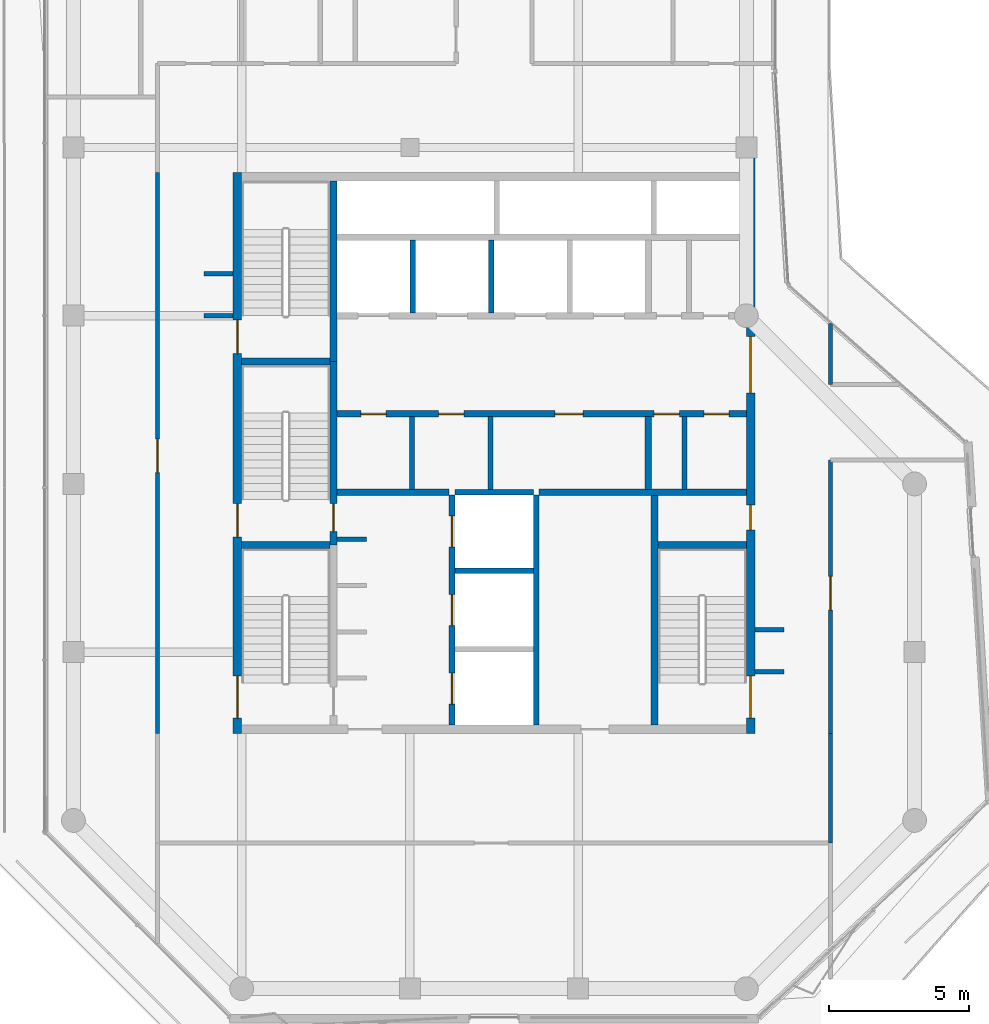
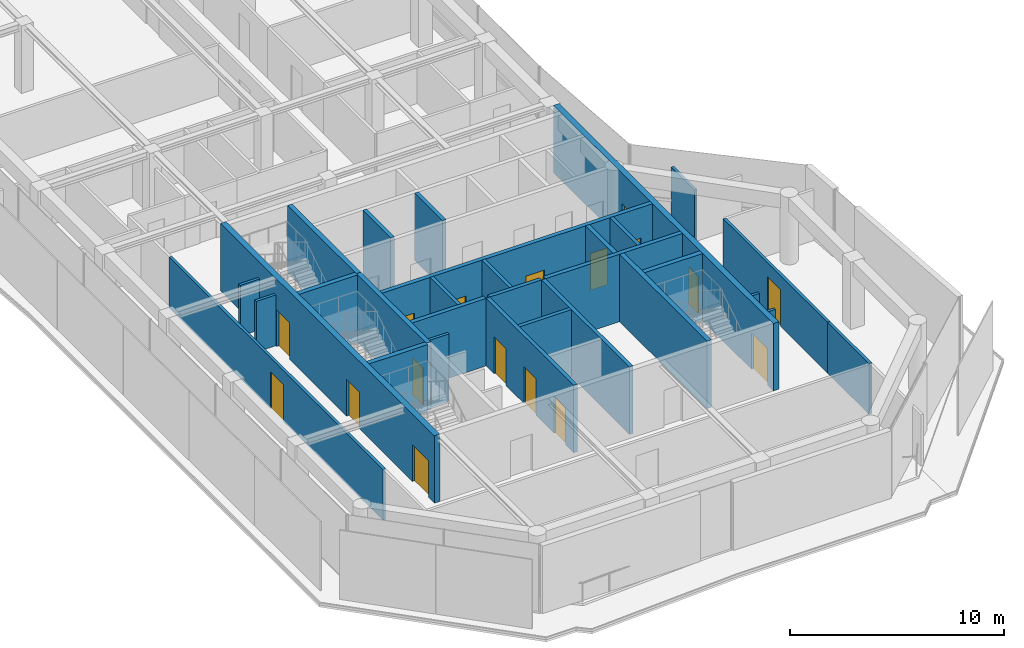
# One storey, part 17 of 21: 30 walls, 17 doors, 17 openings.
"""IFC4 building model written with IfcOpenShell, lengths in metres."""

from ifc_helpers import new_model, si_unit, direction, frame, frame_2d, origin, place, context, subcontext, project, spatial, rectangle, extrude, material, layer, layer_set, type_object, element, fill, save


model = new_model("IFC4")

# Units and contexts
model_context = context("Model", 3, precision=1e-05, world=origin(), true_north=direction((0.0, 1.0)))
body_context = subcontext(model_context, "Body", "Model", "MODEL_VIEW")
ifc_project = project(units=[si_unit("LENGTHUNIT", "METRE"), si_unit("AREAUNIT", "SQUARE_METRE"), si_unit("VOLUMEUNIT", "CUBIC_METRE"), si_unit("PLANEANGLEUNIT", "RADIAN"), si_unit("MASSUNIT", "GRAM", prefix="KILO")], contexts=[model_context])

# Site, building, storey
site_placement = place(None, origin())
site = spatial("IfcSite", under=ifc_project, at=site_placement, CompositionType="ELEMENT")
building_placement = place(site_placement, origin())
building = spatial("IfcBuilding", under=site, at=building_placement, Name="Welwitschia Terrace Campus", CompositionType="ELEMENT")
storey_placement = place(building_placement, frame((0.0, 0.0, 302.0)))
storey = spatial("IfcBuildingStorey", under=building, at=storey_placement, Name="L67", CompositionType="ELEMENT", Elevation=302.0)

# Walls
ifc_material_1 = material(Name="Concrete C32/40", Category="concrete")
ifc_layer_1 = layer(ifc_material_1, 0.175048828125)
ifc_layer_set_1 = layer_set([ifc_layer_1], Name="Concrete C32/40")
wall_type_1 = type_object("IfcWallType", Name="Core partition 175 Concrete C32/40", PredefinedType="PARTITIONING", material=ifc_layer_set_1)
for number, where, z_axis, x_axis, name in (
    (1, (12.074951171875, 13.800048828125, 0.0), (0.0, 0.0, 1.0), (0.0, 1.0, 0.0), "Core partition"),
    (2, (14.875, 13.800048828125, 0.0), (0.0, 0.0, 1.0), (0.0, 1.0, 0.0), "Core partition"),
    (3, (21.7900390625, 13.800048828125, 0.0), (0.0, 0.0, 1.0), (0.0, 1.0, 0.0), "Core partition"),
):
    element("IfcWall", number, at=place(storey_placement, frame(where, z_axis=z_axis, x_axis=x_axis)), inside=storey, type_object=wall_type_1, Name=name, PredefinedType="PARTITIONING", context=body_context, shape_type="SweptSolid", body=[
        extrude(rectangle(XDim=2.599853515625, YDim=0.175048828125, at=frame_2d((1.2998046875, 0.0))), origin(), (0.0, 0.0, 1.0), 3.85009765625),
    ])
ifc_material_2 = material(Name="Concrete C32/40", Category="concrete")
ifc_layer_2 = layer(ifc_material_2, 0.22509765625)
ifc_layer_set_2 = layer_set([ifc_layer_2], Name="Concrete C32/40")
wall_type_2 = type_object("IfcWallType", Name="Core partition 225 Concrete C32/40", PredefinedType="PARTITIONING", material=ifc_layer_set_2)
wall_1_placement = place(storey_placement, frame((9.39990234375, 13.699951171875, 0.0), z_axis=(0.0, 0.0, 1.0), x_axis=(1.0, 0.0, 0.0)))
element("IfcWall", 4, at=wall_1_placement, inside=storey, type_object=wall_type_2, Name="Core partition", PredefinedType="PARTITIONING", context=body_context, shape_type="SweptSolid", body=[
    extrude(rectangle(XDim=4.0, YDim=0.22509765625, at=frame_2d((2.0, 0.0))), origin(), (0.0, 0.0, 1.0), 3.85009765625),
])
wall_2_placement = place(storey_placement, frame((16.60009765625, 13.699951171875, 0.0), z_axis=(0.0, 0.0, 1.0), x_axis=(1.0, 0.0, 0.0)))
element("IfcWall", 5, at=wall_2_placement, inside=storey, type_object=wall_type_2, Name="Core partition", PredefinedType="PARTITIONING", context=body_context, shape_type="SweptSolid", body=[
    extrude(rectangle(XDim=7.39990234375, YDim=0.22509765625, at=frame_2d((3.699951171875, 0.0))), origin(), (0.0, 0.0, 1.0), 3.85009765625),
])

# Wall, openings, doors
wall_3_placement = place(storey_placement, frame((9.39990234375, 16.5, 0.0), z_axis=(0.0, 0.0, 1.0), x_axis=(1.0, 0.0, 0.0)))
wall_3 = element("IfcWall", 6, at=wall_3_placement, inside=storey, type_object=wall_type_2, Name="Core partition", PredefinedType="PARTITIONING", context=body_context, shape_type="SweptSolid", body=[
    extrude(rectangle(XDim=14.60009765625, YDim=0.22509765625, at=frame_2d((7.300048828125, 0.0))), origin(), (0.0, 0.0, 1.0), 3.85009765625),
])
opening_1_placement = place(wall_3_placement, frame((0.85009765625, 0.0, 0.0)))
opening_1 = element("IfcOpeningElement", 7, at=opening_1_placement, cuts=wall_3, Name="Opening DR09", PredefinedType="OPENING", context=body_context, shape_type="SweptSolid", body=[
    extrude(rectangle(XDim=0.89990234375, YDim=2.10009765625, at=frame_2d((0.449951171875, 1.050048828125))), frame((0.0, 0.12255859375, 0.0), z_axis=(0.0, -1.0, 0.0), x_axis=(1.0, 0.0, 0.0)), (0.0, 0.0, 1.0), 0.2451171875),
])
opening_2_placement = place(wall_3_placement, frame((3.625, 0.0, 0.0)))
opening_2 = element("IfcOpeningElement", 8, at=opening_2_placement, cuts=wall_3, Name="Opening DR09", PredefinedType="OPENING", context=body_context, shape_type="SweptSolid", body=[
    extrude(rectangle(XDim=0.89990234375, YDim=2.10009765625, at=frame_2d((0.449951171875, 1.050048828125))), frame((0.0, 0.12255859375, 0.0), z_axis=(0.0, -1.0, 0.0), x_axis=(1.0, 0.0, 0.0)), (0.0, 0.0, 1.0), 0.2451171875),
])
opening_3_placement = place(wall_3_placement, frame((7.77490234375, 0.0, 0.0)))
opening_3 = element("IfcOpeningElement", 9, at=opening_3_placement, cuts=wall_3, Name="Opening DR10", PredefinedType="OPENING", context=body_context, shape_type="SweptSolid", body=[
    extrude(rectangle(XDim=1.0, YDim=2.10009765625, at=frame_2d((0.5, 1.050048828125))), frame((0.0, 0.12255859375, 0.0), z_axis=(0.0, -1.0, 0.0), x_axis=(1.0, 0.0, 0.0)), (0.0, 0.0, 1.0), 0.2451171875),
])
opening_4_placement = place(wall_3_placement, frame((11.3076171875, 0.0, 0.0)))
opening_4 = element("IfcOpeningElement", 10, at=opening_4_placement, cuts=wall_3, Name="Opening DR09", PredefinedType="OPENING", context=body_context, shape_type="SweptSolid", body=[
    extrude(rectangle(XDim=0.89990234375, YDim=2.10009765625, at=frame_2d((0.449951171875, 1.050048828125))), frame((0.0, 0.12255859375, 0.0), z_axis=(0.0, -1.0, 0.0), x_axis=(1.0, 0.0, 0.0)), (0.0, 0.0, 1.0), 0.2451171875),
])
opening_5_placement = place(wall_3_placement, frame((13.08251953125, 0.0, 0.0)))
opening_5 = element("IfcOpeningElement", 11, at=opening_5_placement, cuts=wall_3, Name="Opening DR09", PredefinedType="OPENING", context=body_context, shape_type="SweptSolid", body=[
    extrude(rectangle(XDim=0.89990234375, YDim=2.10009765625, at=frame_2d((0.449951171875, 1.050048828125))), frame((0.0, 0.12255859375, 0.0), z_axis=(0.0, -1.0, 0.0), x_axis=(1.0, 0.0, 0.0)), (0.0, 0.0, 1.0), 0.2451171875),
])
ifc_material_3 = material(Name="Steel S275", Category="steel")
door_type_1 = type_object("IfcDoorType", Name="Core door DR09", OperationType="SINGLE_SWING_LEFT", PredefinedType="DOOR", material=ifc_material_3)
door_1_placement = place(opening_1_placement, origin())
door_1 = element("IfcDoor", 12, at=door_1_placement, inside=storey, type_object=door_type_1, Name="Door BAYL1-D", OperationType="SINGLE_SWING_LEFT", OverallHeight=2.10009765625, OverallWidth=0.89990234375, PredefinedType="DOOR", context=body_context, shape_type="SweptSolid", body=[
    extrude(rectangle(XDim=0.89990234375, YDim=2.10009765625, at=frame_2d((0.449951171875, 1.050048828125))), frame((0.0, 0.02490234375, 0.0), z_axis=(0.0, -1.0, 0.0), x_axis=(1.0, 0.0, 0.0)), (0.0, 0.0, 1.0), 0.050048828125),
])
fill(opening_1, door_1)
door_2_placement = place(opening_2_placement, origin())
door_2 = element("IfcDoor", 13, at=door_2_placement, inside=storey, type_object=door_type_1, Name="Door BAYL2-D", OperationType="SINGLE_SWING_LEFT", OverallHeight=2.10009765625, OverallWidth=0.89990234375, PredefinedType="DOOR", context=body_context, shape_type="SweptSolid", body=[
    extrude(rectangle(XDim=0.89990234375, YDim=2.10009765625, at=frame_2d((0.449951171875, 1.050048828125))), frame((0.0, 0.02490234375, 0.0), z_axis=(0.0, -1.0, 0.0), x_axis=(1.0, 0.0, 0.0)), (0.0, 0.0, 1.0), 0.050048828125),
])
fill(opening_2, door_2)
door_3_placement = place(opening_4_placement, origin())
door_3 = element("IfcDoor", 14, at=door_3_placement, inside=storey, type_object=door_type_1, Name="Door EL1-D", OperationType="SINGLE_SWING_RIGHT", OverallHeight=2.10009765625, OverallWidth=0.89990234375, PredefinedType="DOOR", context=body_context, shape_type="SweptSolid", body=[
    extrude(rectangle(XDim=0.89990234375, YDim=2.10009765625, at=frame_2d((0.449951171875, 1.050048828125))), frame((0.0, 0.02490234375, 0.0), z_axis=(0.0, -1.0, 0.0), x_axis=(1.0, 0.0, 0.0)), (0.0, 0.0, 1.0), 0.050048828125),
])
fill(opening_4, door_3)
door_4_placement = place(opening_5_placement, origin())
door_4 = element("IfcDoor", 15, at=door_4_placement, inside=storey, type_object=door_type_1, Name="Door EL2-D", OperationType="SINGLE_SWING_RIGHT", OverallHeight=2.10009765625, OverallWidth=0.89990234375, PredefinedType="DOOR", context=body_context, shape_type="SweptSolid", body=[
    extrude(rectangle(XDim=0.89990234375, YDim=2.10009765625, at=frame_2d((0.449951171875, 1.050048828125))), frame((0.0, 0.02490234375, 0.0), z_axis=(0.0, -1.0, 0.0), x_axis=(1.0, 0.0, 0.0)), (0.0, 0.0, 1.0), 0.050048828125),
])
fill(opening_5, door_4)
ifc_material_4 = material(Name="Steel S275", Category="steel")
door_type_2 = type_object("IfcDoorType", Name="Core door DR10", OperationType="SINGLE_SWING_LEFT", PredefinedType="DOOR", material=ifc_material_4)
door_5_placement = place(opening_3_placement, origin())
door_5 = element("IfcDoor", 16, at=door_5_placement, inside=storey, type_object=door_type_2, Name="Door BAYL3-D", OperationType="SINGLE_SWING_RIGHT", OverallHeight=2.10009765625, OverallWidth=1.0, PredefinedType="DOOR", context=body_context, shape_type="SweptSolid", body=[
    extrude(rectangle(XDim=1.0, YDim=2.10009765625, at=frame_2d((0.5, 1.050048828125))), frame((0.0, 0.02490234375, 0.0), z_axis=(0.0, -1.0, 0.0), x_axis=(1.0, 0.0, 0.0)), (0.0, 0.0, 1.0), 0.050048828125),
])
fill(opening_3, door_5)

# Walls
wall_4_placement = place(storey_placement, frame((20.5, 13.800048828125, 0.0), z_axis=(0.0, 0.0, 1.0), x_axis=(0.0, 1.0, 0.0)))
element("IfcWall", 17, at=wall_4_placement, inside=storey, type_object=wall_type_2, Name="Core partition", PredefinedType="PARTITIONING", context=body_context, shape_type="SweptSolid", body=[
    extrude(rectangle(XDim=2.599853515625, YDim=0.22509765625, at=frame_2d((1.2998046875, 0.0))), origin(), (0.0, 0.0, 1.0), 3.85009765625),
])
ifc_material_5 = material(Name="Concrete C50/60", Category="concrete")
ifc_layer_3 = layer(ifc_material_5, 0.14990234375)
ifc_layer_set_3 = layer_set([ifc_layer_3], Name="Concrete C50/60")
wall_type_3 = type_object("IfcWallType", Name="Core wall 150 Concrete C50/60", PredefinedType="SHEAR", material=ifc_layer_set_3)
wall_5_placement = place(storey_placement, frame((9.39990234375, 12.02490234375, 0.0), z_axis=(0.0, 0.0, 1.0), x_axis=(1.0, 0.0, 0.0)))
element("IfcWall", 18, at=wall_5_placement, inside=storey, type_object=wall_type_3, Name="Core wall", PredefinedType="SHEAR", context=body_context, shape_type="SweptSolid", body=[
    extrude(rectangle(XDim=1.050048828125, YDim=0.14990234375, at=frame_2d((0.52490234375, 0.0))), origin(), (0.0, 0.0, 1.0), 3.85009765625),
])
ifc_material_6 = material(Name="Concrete C50/60", Category="concrete")
ifc_layer_4 = layer(ifc_material_6, 0.199951171875)
ifc_layer_set_4 = layer_set([ifc_layer_4], Name="Concrete C50/60")
wall_type_4 = type_object("IfcWallType", Name="Core wall 200 Concrete C50/60", PredefinedType="SHEAR", material=ifc_layer_set_4)
for number, where, z_axis, x_axis, name in (
    (19, (13.60009765625, 10.89990234375, 0.0), (0.0, 0.0, 1.0), (1.0, 0.0, 0.0), "Core wall"),
    (20, (13.60009765625, 13.699951171875, 0.0), (0.0, 0.0, 1.0), (1.0, 0.0, 0.0), "Core wall"),
):
    element("IfcWall", number, at=place(storey_placement, frame(where, z_axis=z_axis, x_axis=x_axis)), inside=storey, type_object=wall_type_4, Name=name, PredefinedType="SHEAR", context=body_context, shape_type="SweptSolid", body=[
        extrude(rectangle(XDim=2.7998046875, YDim=0.199951171875, at=frame_2d((1.39990234375, 0.0))), origin(), (0.0, 0.0, 1.0), 3.85009765625),
    ])

# Wall, openings, doors
wall_6_placement = place(storey_placement, frame((13.5, 5.39990234375, 0.0), z_axis=(0.0, 0.0, 1.0), x_axis=(0.0, 1.0, 0.0)))
wall_6 = element("IfcWall", 21, at=wall_6_placement, inside=storey, type_object=wall_type_4, Name="Core wall", PredefinedType="SHEAR", context=body_context, shape_type="SweptSolid", body=[
    extrude(rectangle(XDim=8.2001953125, YDim=0.199951171875, at=frame_2d((4.10009765625, 0.0))), origin(), (0.0, 0.0, 1.0), 3.85009765625),
])
opening_6_placement = place(wall_6_placement, frame((0.75, 0.0, 0.0)))
opening_6 = element("IfcOpeningElement", 22, at=opening_6_placement, cuts=wall_6, Name="Opening LD", PredefinedType="OPENING", context=body_context, shape_type="SweptSolid", body=[
    extrude(rectangle(XDim=1.10009765625, YDim=2.10009765625, at=frame_2d((0.550048828125, 1.050048828125))), frame((0.0, 0.10986328125, 0.0), z_axis=(0.0, -1.0, 0.0), x_axis=(1.0, 0.0, 0.0)), (0.0, 0.0, 1.0), 0.219970703125),
])
opening_7_placement = place(wall_6_placement, frame((3.550048828125, 0.0, 0.0)))
opening_7 = element("IfcOpeningElement", 23, at=opening_7_placement, cuts=wall_6, Name="Opening LD", PredefinedType="OPENING", context=body_context, shape_type="SweptSolid", body=[
    extrude(rectangle(XDim=1.10009765625, YDim=2.10009765625, at=frame_2d((0.550048828125, 1.050048828125))), frame((0.0, 0.10986328125, 0.0), z_axis=(0.0, -1.0, 0.0), x_axis=(1.0, 0.0, 0.0)), (0.0, 0.0, 1.0), 0.219970703125),
])
opening_8_placement = place(wall_6_placement, frame((6.35009765625, 0.0, 0.0)))
opening_8 = element("IfcOpeningElement", 24, at=opening_8_placement, cuts=wall_6, Name="Opening LD", PredefinedType="OPENING", context=body_context, shape_type="SweptSolid", body=[
    extrude(rectangle(XDim=1.10009765625, YDim=2.10009765625, at=frame_2d((0.550048828125, 1.050048828125))), frame((0.0, 0.10986328125, 0.0), z_axis=(0.0, -1.0, 0.0), x_axis=(1.0, 0.0, 0.0)), (0.0, 0.0, 1.0), 0.219970703125),
])
ifc_material_7 = material(Name="Stainless steel 304", Category="steel")
door_type_3 = type_object("IfcDoorType", Name="Lift landing door", OperationType="DOUBLE_DOOR_SLIDING", PredefinedType="DOOR", material=ifc_material_7)
door_6_placement = place(opening_6_placement, origin())
door_6 = element("IfcDoor", 25, at=door_6_placement, inside=storey, type_object=door_type_3, Name="Landing door FF1", OperationType="DOUBLE_DOOR_SLIDING", OverallHeight=2.10009765625, OverallWidth=1.10009765625, PredefinedType="DOOR", context=body_context, shape_type="SweptSolid", body=[
    extrude(rectangle(XDim=1.10009765625, YDim=2.10009765625, at=frame_2d((0.550048828125, 1.050048828125))), frame((0.0, 0.02490234375, 0.0), z_axis=(0.0, -1.0, 0.0), x_axis=(1.0, 0.0, 0.0)), (0.0, 0.0, 1.0), 0.050048828125),
])
fill(opening_6, door_6)
door_7_placement = place(opening_7_placement, origin())
door_7 = element("IfcDoor", 26, at=door_7_placement, inside=storey, type_object=door_type_3, Name="Landing door FF2", OperationType="DOUBLE_DOOR_SLIDING", OverallHeight=2.10009765625, OverallWidth=1.10009765625, PredefinedType="DOOR", context=body_context, shape_type="SweptSolid", body=[
    extrude(rectangle(XDim=1.10009765625, YDim=2.10009765625, at=frame_2d((0.550048828125, 1.050048828125))), frame((0.0, 0.02490234375, 0.0), z_axis=(0.0, -1.0, 0.0), x_axis=(1.0, 0.0, 0.0)), (0.0, 0.0, 1.0), 0.050048828125),
])
fill(opening_7, door_7)
door_8_placement = place(opening_8_placement, origin())
door_8 = element("IfcDoor", 27, at=door_8_placement, inside=storey, type_object=door_type_3, Name="Landing door SV1", OperationType="DOUBLE_DOOR_SLIDING", OverallHeight=2.10009765625, OverallWidth=1.10009765625, PredefinedType="DOOR", context=body_context, shape_type="SweptSolid", body=[
    extrude(rectangle(XDim=1.10009765625, YDim=2.10009765625, at=frame_2d((0.550048828125, 1.050048828125))), frame((0.0, 0.02490234375, 0.0), z_axis=(0.0, -1.0, 0.0), x_axis=(1.0, 0.0, 0.0)), (0.0, 0.0, 1.0), 0.050048828125),
])
fill(opening_8, door_8)

# Walls
wall_7_placement = place(storey_placement, frame((16.5, 5.39990234375, 0.0), z_axis=(0.0, 0.0, 1.0), x_axis=(0.0, 1.0, 0.0)))
element("IfcWall", 28, at=wall_7_placement, inside=storey, type_object=wall_type_4, Name="Core wall", PredefinedType="SHEAR", context=body_context, shape_type="SweptSolid", body=[
    extrude(rectangle(XDim=8.2001953125, YDim=0.199951171875, at=frame_2d((4.10009765625, 0.0))), origin(), (0.0, 0.0, 1.0), 3.85009765625),
])
ifc_material_8 = material(Name="Concrete C50/60", Category="concrete")
ifc_layer_5 = layer(ifc_material_8, 0.25)
ifc_layer_set_5 = layer_set([ifc_layer_5], Name="Concrete C50/60")
wall_type_5 = type_object("IfcWallType", Name="Core wall 250 Concrete C50/60", PredefinedType="SHEAR", material=ifc_layer_set_5)
for number, where, z_axis, x_axis, name in (
    (29, (6.0, 11.824951171875, 0.0), (0.0, 0.0, 1.0), (1.0, 0.0, 0.0), "Core wall"),
    (30, (20.85009765625, 11.824951171875, 0.0), (0.0, 0.0, 1.0), (1.0, 0.0, 0.0), "Core wall"),
    (31, (6.0, 18.375, 0.0), (0.0, 0.0, 1.0), (1.0, 0.0, 0.0), "Core wall"),
):
    element("IfcWall", number, at=place(storey_placement, frame(where, z_axis=z_axis, x_axis=x_axis)), inside=storey, type_object=wall_type_5, Name=name, PredefinedType="SHEAR", context=body_context, shape_type="SweptSolid", body=[
        extrude(rectangle(XDim=3.14990234375, YDim=0.25, at=frame_2d((1.574951171875, 0.0))), origin(), (0.0, 0.0, 1.0), 3.85009765625),
    ])

# Wall, opening, door
wall_8_placement = place(storey_placement, frame((9.27490234375, 18.375, 0.0), z_axis=(0.0, 0.0, 1.0), x_axis=(0.0, -1.0, 0.0)))
wall_8 = element("IfcWall", 32, at=wall_8_placement, inside=storey, type_object=wall_type_5, Name="Core wall", PredefinedType="SHEAR", context=body_context, shape_type="SweptSolid", body=[
    extrude(rectangle(XDim=6.550048828125, YDim=0.25, at=frame_2d((3.27490234375, 0.0))), origin(), (0.0, 0.0, 1.0), 3.85009765625),
])
opening_9_placement = place(wall_8_placement, frame((5.074951171875, 0.0, 0.0)))
opening_9 = element("IfcOpeningElement", 33, at=opening_9_placement, cuts=wall_8, Name="Opening DS10", PredefinedType="OPENING", context=body_context, shape_type="SweptSolid", body=[
    extrude(rectangle(XDim=1.0, YDim=2.10009765625, at=frame_2d((0.5, 1.050048828125))), frame((0.0, 0.135009765625, 0.0), z_axis=(0.0, -1.0, 0.0), x_axis=(1.0, 0.0, 0.0)), (0.0, 0.0, 1.0), 0.27001953125),
])
ifc_material_9 = material(Name="Steel S275", Category="steel")
door_type_4 = type_object("IfcDoorType", Name="Core door DS10", OperationType="SINGLE_SWING_LEFT", PredefinedType="DOOR", material=ifc_material_9)
door_9_placement = place(opening_9_placement, origin())
door_9 = element("IfcDoor", 34, at=door_9_placement, inside=storey, type_object=door_type_4, Name="Door S3-FL", OperationType="SINGLE_SWING_RIGHT", OverallHeight=2.10009765625, OverallWidth=1.0, PredefinedType="DOOR", context=body_context, shape_type="SweptSolid", body=[
    extrude(rectangle(XDim=1.0, YDim=2.10009765625, at=frame_2d((0.5, 1.050048828125))), frame((0.0, 0.02490234375, 0.0), z_axis=(0.0, -1.0, 0.0), x_axis=(1.0, 0.0, 0.0)), (0.0, 0.0, 1.0), 0.050048828125),
])
fill(opening_9, door_9)

# Walls
wall_9_placement = place(storey_placement, frame((9.27490234375, 18.375, 0.0), z_axis=(0.0, 0.0, 1.0), x_axis=(0.0, 1.0, 0.0)))
element("IfcWall", 35, at=wall_9_placement, inside=storey, type_object=wall_type_5, Name="Core wall", PredefinedType="SHEAR", context=body_context, shape_type="SweptSolid", body=[
    extrude(rectangle(XDim=6.425048828125, YDim=0.25, at=frame_2d((3.21240234375, 0.0))), origin(), (0.0, 0.0, 1.0), 3.85009765625),
])
wall_10_placement = place(storey_placement, frame((20.72509765625, 5.39990234375, 0.0), z_axis=(0.0, 0.0, 1.0), x_axis=(0.0, 1.0, 0.0)))
element("IfcWall", 36, at=wall_10_placement, inside=storey, type_object=wall_type_5, Name="Core wall", PredefinedType="SHEAR", context=body_context, shape_type="SweptSolid", body=[
    extrude(rectangle(XDim=8.2001953125, YDim=0.25, at=frame_2d((4.10009765625, 0.0))), origin(), (0.0, 0.0, 1.0), 3.85009765625),
])

# Wall, openings, doors
ifc_material_10 = material(Name="Concrete C50/60", Category="concrete")
ifc_layer_6 = layer(ifc_material_10, 0.300048828125)
ifc_layer_set_6 = layer_set([ifc_layer_6], Name="Concrete C50/60")
wall_type_6 = type_object("IfcWallType", Name="Core wall 300 Concrete C50/60", PredefinedType="SHEAR", material=ifc_layer_set_6)
wall_11_placement = place(storey_placement, frame((5.85009765625, 5.10009765625, 0.0), z_axis=(0.0, 0.0, 1.0), x_axis=(0.0, 1.0, 0.0)))
wall_11 = element("IfcWall", 37, at=wall_11_placement, inside=storey, type_object=wall_type_6, Name="Core outer wall", PredefinedType="SHEAR", context=body_context, shape_type="SweptSolid", body=[
    extrude(rectangle(XDim=20.0, YDim=0.300048828125, at=frame_2d((10.0, 0.0))), origin(), (0.0, 0.0, 1.0), 3.85009765625),
])
opening_10_placement = place(wall_11_placement, frame((0.550048828125, 0.0, 0.0)))
opening_10 = element("IfcOpeningElement", 38, at=opening_10_placement, cuts=wall_11, Name="Opening DS15", PredefinedType="OPENING", context=body_context, shape_type="SweptSolid", body=[
    extrude(rectangle(XDim=1.5, YDim=2.10009765625, at=frame_2d((0.75, 1.050048828125))), frame((0.0, 0.159912109375, 0.0), z_axis=(0.0, -1.0, 0.0), x_axis=(1.0, 0.0, 0.0)), (0.0, 0.0, 1.0), 0.320068359375),
])
opening_11_placement = place(wall_11_placement, frame((7.0, 0.0, 0.0)))
opening_11 = element("IfcOpeningElement", 39, at=opening_11_placement, cuts=wall_11, Name="Opening DS12", PredefinedType="OPENING", context=body_context, shape_type="SweptSolid", body=[
    extrude(rectangle(XDim=1.199951171875, YDim=2.10009765625, at=frame_2d((0.60009765625, 1.050048828125))), frame((0.0, 0.159912109375, 0.0), z_axis=(0.0, -1.0, 0.0), x_axis=(1.0, 0.0, 0.0)), (0.0, 0.0, 1.0), 0.320068359375),
])
opening_12_placement = place(wall_11_placement, frame((13.550048828125, 0.0, 0.0)))
opening_12 = element("IfcOpeningElement", 40, at=opening_12_placement, cuts=wall_11, Name="Opening DS12", PredefinedType="OPENING", context=body_context, shape_type="SweptSolid", body=[
    extrude(rectangle(XDim=1.199951171875, YDim=2.10009765625, at=frame_2d((0.60009765625, 1.050048828125))), frame((0.0, 0.159912109375, 0.0), z_axis=(0.0, -1.0, 0.0), x_axis=(1.0, 0.0, 0.0)), (0.0, 0.0, 1.0), 0.320068359375),
])
ifc_material_11 = material(Name="Steel S275", Category="steel")
door_type_5 = type_object("IfcDoorType", Name="Core door DS12", OperationType="SINGLE_SWING_LEFT", PredefinedType="DOOR", material=ifc_material_11)
door_10_placement = place(opening_11_placement, origin())
door_10 = element("IfcDoor", 41, at=door_10_placement, inside=storey, type_object=door_type_5, Name="Door S3-out", OperationType="SINGLE_SWING_LEFT", OverallHeight=2.10009765625, OverallWidth=1.199951171875, PredefinedType="DOOR", context=body_context, shape_type="SweptSolid", body=[
    extrude(rectangle(XDim=1.199951171875, YDim=2.10009765625, at=frame_2d((0.60009765625, 1.050048828125))), frame((0.0, 0.02490234375, 0.0), z_axis=(0.0, -1.0, 0.0), x_axis=(1.0, 0.0, 0.0)), (0.0, 0.0, 1.0), 0.050048828125),
])
fill(opening_11, door_10)
door_11_placement = place(opening_12_placement, origin())
door_11 = element("IfcDoor", 42, at=door_11_placement, inside=storey, type_object=door_type_5, Name="Door S4-out", OperationType="SINGLE_SWING_RIGHT", OverallHeight=2.10009765625, OverallWidth=1.199951171875, PredefinedType="DOOR", context=body_context, shape_type="SweptSolid", body=[
    extrude(rectangle(XDim=1.199951171875, YDim=2.10009765625, at=frame_2d((0.60009765625, 1.050048828125))), frame((0.0, 0.02490234375, 0.0), z_axis=(0.0, -1.0, 0.0), x_axis=(1.0, 0.0, 0.0)), (0.0, 0.0, 1.0), 0.050048828125),
])
fill(opening_12, door_11)
ifc_material_12 = material(Name="Steel S275", Category="steel")
door_type_6 = type_object("IfcDoorType", Name="Core door DS15", OperationType="DOUBLE_DOOR_SINGLE_SWING", PredefinedType="DOOR", material=ifc_material_12)
door_12_placement = place(opening_10_placement, origin())
door_12 = element("IfcDoor", 43, at=door_12_placement, inside=storey, type_object=door_type_6, Name="Door S1-out", OperationType="DOUBLE_DOOR_SINGLE_SWING", OverallHeight=2.10009765625, OverallWidth=1.5, PredefinedType="DOOR", context=body_context, shape_type="SweptSolid", body=[
    extrude(rectangle(XDim=1.5, YDim=2.10009765625, at=frame_2d((0.75, 1.050048828125))), frame((0.0, 0.02490234375, 0.0), z_axis=(0.0, -1.0, 0.0), x_axis=(1.0, 0.0, 0.0)), (0.0, 0.0, 1.0), 0.050048828125),
])
fill(opening_10, door_12)

wall_12_placement = place(storey_placement, frame((24.14990234375, 25.655029296875, 0.0), z_axis=(0.0, 0.0, 1.0), x_axis=(0.0, -1.0, 0.0)))
wall_12 = element("IfcWall", 44, at=wall_12_placement, inside=storey, type_object=wall_type_6, Name="Core outer wall", PredefinedType="SHEAR", context=body_context, shape_type="SweptSolid", body=[
    extrude(rectangle(XDim=20.554931640625, YDim=0.300048828125, at=frame_2d((10.27734375, 0.0))), origin(), (0.0, 0.0, 1.0), 3.85009765625),
])
opening_13_placement = place(wall_12_placement, frame((18.5048828125, 0.0, 0.0)))
opening_13 = element("IfcOpeningElement", 45, at=opening_13_placement, cuts=wall_12, Name="Opening DS15", PredefinedType="OPENING", context=body_context, shape_type="SweptSolid", body=[
    extrude(rectangle(XDim=1.5, YDim=2.10009765625, at=frame_2d((0.75, 1.050048828125))), frame((0.0, 0.159912109375, 0.0), z_axis=(0.0, -1.0, 0.0), x_axis=(1.0, 0.0, 0.0)), (0.0, 0.0, 1.0), 0.320068359375),
])
opening_14_placement = place(wall_12_placement, frame((12.405029296875, 0.0, 0.0)))
opening_14 = element("IfcOpeningElement", 46, at=opening_14_placement, cuts=wall_12, Name="Opening DR09", PredefinedType="OPENING", context=body_context, shape_type="SweptSolid", body=[
    extrude(rectangle(XDim=0.89990234375, YDim=2.10009765625, at=frame_2d((0.449951171875, 1.050048828125))), frame((0.0, 0.159912109375, 0.0), z_axis=(0.0, -1.0, 0.0), x_axis=(1.0, 0.0, 0.0)), (0.0, 0.0, 1.0), 0.320068359375),
])
opening_15_placement = place(wall_12_placement, frame((6.405029296875, 0.0, 0.0)))
opening_15 = element("IfcOpeningElement", 47, at=opening_15_placement, cuts=wall_12, Name="Opening DL20", PredefinedType="OPENING", context=body_context, shape_type="SweptSolid", body=[
    extrude(rectangle(XDim=2.0, YDim=2.10009765625, at=frame_2d((1.0, 1.050048828125))), frame((0.0, 0.159912109375, 0.0), z_axis=(0.0, -1.0, 0.0), x_axis=(1.0, 0.0, 0.0)), (0.0, 0.0, 1.0), 0.320068359375),
])
ifc_material_13 = material(Name="Steel S275", Category="steel")
door_type_7 = type_object("IfcDoorType", Name="Core door DL20", OperationType="DOUBLE_DOOR_SINGLE_SWING", PredefinedType="DOOR", material=ifc_material_13)
door_13_placement = place(opening_15_placement, origin())
door_13 = element("IfcDoor", 48, at=door_13_placement, inside=storey, type_object=door_type_7, Name="Door LOBBY-out", OperationType="DOUBLE_DOOR_SINGLE_SWING", OverallHeight=2.10009765625, OverallWidth=2.0, PredefinedType="DOOR", context=body_context, shape_type="SweptSolid", body=[
    extrude(rectangle(XDim=2.0, YDim=2.10009765625, at=frame_2d((1.0, 1.050048828125))), frame((0.0, 0.02490234375, 0.0), z_axis=(0.0, -1.0, 0.0), x_axis=(1.0, 0.0, 0.0)), (0.0, 0.0, 1.0), 0.050048828125),
])
fill(opening_15, door_13)
door_14_placement = place(opening_14_placement, origin())
door_14 = element("IfcDoor", 49, at=door_14_placement, inside=storey, type_object=door_type_1, Name="Door F1B-out", OperationType="SINGLE_SWING_RIGHT", OverallHeight=2.10009765625, OverallWidth=0.89990234375, PredefinedType="DOOR", context=body_context, shape_type="SweptSolid", body=[
    extrude(rectangle(XDim=0.89990234375, YDim=2.10009765625, at=frame_2d((0.449951171875, 1.050048828125))), frame((0.0, 0.02490234375, 0.0), z_axis=(0.0, -1.0, 0.0), x_axis=(1.0, 0.0, 0.0)), (0.0, 0.0, 1.0), 0.050048828125),
])
fill(opening_14, door_14)
door_15_placement = place(opening_13_placement, origin())
door_15 = element("IfcDoor", 50, at=door_15_placement, inside=storey, type_object=door_type_6, Name="Door S2-out", OperationType="DOUBLE_DOOR_SINGLE_SWING", OverallHeight=2.10009765625, OverallWidth=1.5, PredefinedType="DOOR", context=body_context, shape_type="SweptSolid", body=[
    extrude(rectangle(XDim=1.5, YDim=2.10009765625, at=frame_2d((0.75, 1.050048828125))), frame((0.0, 0.02490234375, 0.0), z_axis=(0.0, -1.0, 0.0), x_axis=(1.0, 0.0, 0.0)), (0.0, 0.0, 1.0), 0.050048828125),
])
fill(opening_13, door_15)

# Wall, opening, door
ifc_material_14 = material(Name="Gypsum board on steel studs", Category="steel")
ifc_layer_7 = layer(ifc_material_14, 0.14990234375)
ifc_layer_set_7 = layer_set([ifc_layer_7], Name="Gypsum board on steel studs")
wall_type_7 = type_object("IfcWallType", Name="Corridor partition 150 EI 30", PredefinedType="PARTITIONING", material=ifc_layer_set_7)
wall_13_placement = place(storey_placement, frame((3.0, 5.10009765625, 0.0), z_axis=(0.0, 0.0, 1.0), x_axis=(0.0, 1.0, 0.0)))
wall_13 = element("IfcWall", 51, at=wall_13_placement, inside=storey, type_object=wall_type_7, Name="Partition", PredefinedType="PARTITIONING", context=body_context, shape_type="SweptSolid", body=[
    extrude(rectangle(XDim=20.0, YDim=0.14990234375, at=frame_2d((10.0, 0.0))), origin(), (0.0, 0.0, 1.0), 2.89990234375),
])
opening_16_placement = place(wall_13_placement, frame((9.300048828125, 0.0, 0.0)))
opening_16 = element("IfcOpeningElement", 52, at=opening_16_placement, cuts=wall_13, Name="Opening DI12", PredefinedType="OPENING", context=body_context, shape_type="SweptSolid", body=[
    extrude(rectangle(XDim=1.199951171875, YDim=2.10009765625, at=frame_2d((0.60009765625, 1.050048828125))), frame((0.0, 0.0849609375, 0.0), z_axis=(0.0, -1.0, 0.0), x_axis=(1.0, 0.0, 0.0)), (0.0, 0.0, 1.0), 0.169921875),
])
ifc_material_15 = material(Name="Timber veneered door", Category="wood")
door_type_8 = type_object("IfcDoorType", Name="Interior door DI12", OperationType="NOTDEFINED", PredefinedType="DOOR", material=ifc_material_15)
door_16_placement = place(opening_16_placement, origin())
door_16 = element("IfcDoor", 53, at=door_16_placement, inside=storey, type_object=door_type_8, Name="Door L67 1184", OperationType="SINGLE_SWING_LEFT", OverallHeight=2.10009765625, OverallWidth=1.199951171875, PredefinedType="DOOR", context=body_context, shape_type="SweptSolid", body=[
    extrude(rectangle(XDim=1.199951171875, YDim=2.10009765625, at=frame_2d((0.60009765625, 1.050048828125))), frame((0.0, 0.02490234375, 0.0), z_axis=(0.0, -1.0, 0.0), x_axis=(1.0, 0.0, 0.0)), (0.0, 0.0, 1.0), 0.050048828125),
])
fill(opening_16, door_16)

# Walls
for number, where, z_axis, x_axis, name in (
    (54, (4.64990234375, 20.0, 0.0), (0.0, 0.0, 1.0), (1.0, 0.0, 0.0), "Partition"),
    (55, (4.64990234375, 21.5, 0.0), (0.0, 0.0, 1.0), (1.0, 0.0, 0.0), "Partition"),
    (56, (24.300048828125, 7.300048828125, 0.0), (0.0, 0.0, 1.0), (1.0, 0.0, 0.0), "Partition"),
    (57, (24.300048828125, 8.800048828125, 0.0), (0.0, 0.0, 1.0), (1.0, 0.0, 0.0), "Partition"),
):
    element("IfcWall", number, at=place(storey_placement, frame(where, z_axis=z_axis, x_axis=x_axis)), inside=storey, type_object=wall_type_7, Name=name, PredefinedType="PARTITIONING", context=body_context, shape_type="SweptSolid", body=[
        extrude(rectangle(XDim=1.050048828125, YDim=0.14990234375, at=frame_2d((0.52490234375, 0.0))), origin(), (0.0, 0.0, 1.0), 2.89990234375),
    ])
wall_14_placement = place(storey_placement, frame((27.0, 1.199951171875, 0.0), z_axis=(0.0, 0.0, 1.0), x_axis=(0.0, 1.0, 0.0)))
element("IfcWall", 58, at=wall_14_placement, inside=storey, type_object=wall_type_7, Name="Partition", PredefinedType="PARTITIONING", context=body_context, shape_type="SweptSolid", body=[
    extrude(rectangle(XDim=3.900146484375, YDim=0.14990234375, at=frame_2d((1.9501953125, 0.0))), origin(), (0.0, 0.0, 1.0), 2.89990234375),
])

# Wall, opening, door
wall_15_placement = place(storey_placement, frame((27.0, 14.85009765625, 0.0), z_axis=(0.0, 0.0, 1.0), x_axis=(0.0, -1.0, 0.0)))
wall_15 = element("IfcWall", 59, at=wall_15_placement, inside=storey, type_object=wall_type_7, Name="Partition", PredefinedType="PARTITIONING", context=body_context, shape_type="SweptSolid", body=[
    extrude(rectangle(XDim=9.75, YDim=0.14990234375, at=frame_2d((4.875, 0.0))), origin(), (0.0, 0.0, 1.0), 2.89990234375),
])
opening_17_placement = place(wall_15_placement, frame((4.14990234375, 0.0, 0.0)))
opening_17 = element("IfcOpeningElement", 60, at=opening_17_placement, cuts=wall_15, Name="Opening DI12", PredefinedType="OPENING", context=body_context, shape_type="SweptSolid", body=[
    extrude(rectangle(XDim=1.199951171875, YDim=2.10009765625, at=frame_2d((0.60009765625, 1.050048828125))), frame((0.0, 0.0849609375, 0.0), z_axis=(0.0, -1.0, 0.0), x_axis=(1.0, 0.0, 0.0)), (0.0, 0.0, 1.0), 0.169921875),
])
door_17_placement = place(opening_17_placement, origin())
door_17 = element("IfcDoor", 61, at=door_17_placement, inside=storey, type_object=door_type_8, Name="Door L67 1198", OperationType="SINGLE_SWING_LEFT", OverallHeight=2.10009765625, OverallWidth=1.199951171875, PredefinedType="DOOR", context=body_context, shape_type="SweptSolid", body=[
    extrude(rectangle(XDim=1.199951171875, YDim=2.10009765625, at=frame_2d((0.60009765625, 1.050048828125))), frame((0.0, 0.02490234375, 0.0), z_axis=(0.0, -1.0, 0.0), x_axis=(1.0, 0.0, 0.0)), (0.0, 0.0, 1.0), 0.050048828125),
])
fill(opening_17, door_17)

# Walls
wall_16_placement = place(storey_placement, frame((27.0, 17.550048828125, 0.0), z_axis=(0.0, 0.0, 1.0), x_axis=(0.0, 1.0, 0.0)))
element("IfcWall", 62, at=wall_16_placement, inside=storey, type_object=wall_type_7, Name="Partition", PredefinedType="PARTITIONING", context=body_context, shape_type="SweptSolid", body=[
    extrude(rectangle(XDim=2.169921875, YDim=0.14990234375, at=frame_2d((1.0849609375, 0.0))), origin(), (0.0, 0.0, 1.0), 2.89990234375),
])
ifc_material_16 = material(Name="Concrete C32/40", Category="concrete")
ifc_layer_8 = layer(ifc_material_16, 0.199951171875)
ifc_layer_set_8 = layer_set([ifc_layer_8], Name="Concrete C32/40")
wall_type_8 = type_object("IfcWallType", Name="Shaft wall 200 Concrete C32/40", PredefinedType="SOLIDWALL", material=ifc_layer_set_8)
for number, where, z_axis, x_axis, name in (
    (63, (12.10009765625, 20.10009765625, 0.0), (0.0, 0.0, 1.0), (0.0, 1.0, 0.0), "Shaft wall"),
    (64, (14.89990234375, 20.10009765625, 0.0), (0.0, 0.0, 1.0), (0.0, 1.0, 0.0), "Shaft wall"),
):
    element("IfcWall", number, at=place(storey_placement, frame(where, z_axis=z_axis, x_axis=x_axis)), inside=storey, type_object=wall_type_8, Name=name, PredefinedType="SOLIDWALL", context=body_context, shape_type="SweptSolid", body=[
        extrude(rectangle(XDim=2.599853515625, YDim=0.199951171875, at=frame_2d((1.2998046875, 0.0))), origin(), (0.0, 0.0, 1.0), 3.85009765625),
    ])

save(model, "model.ifc")
